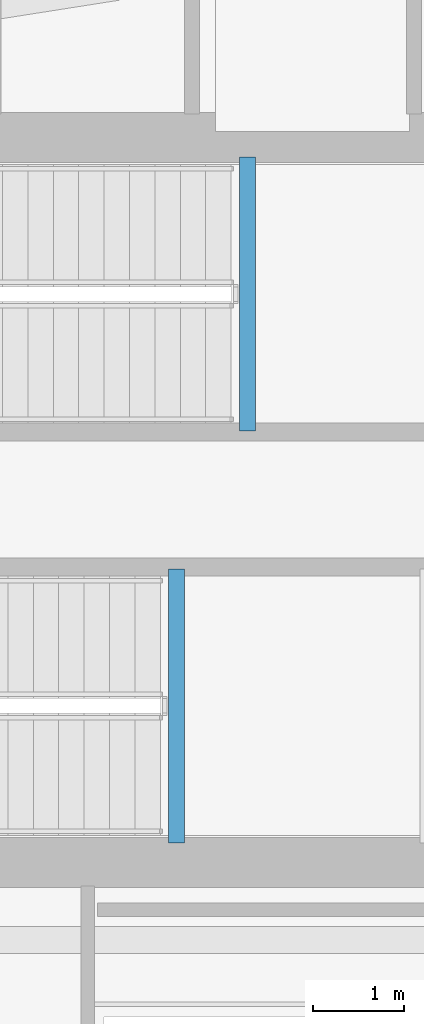
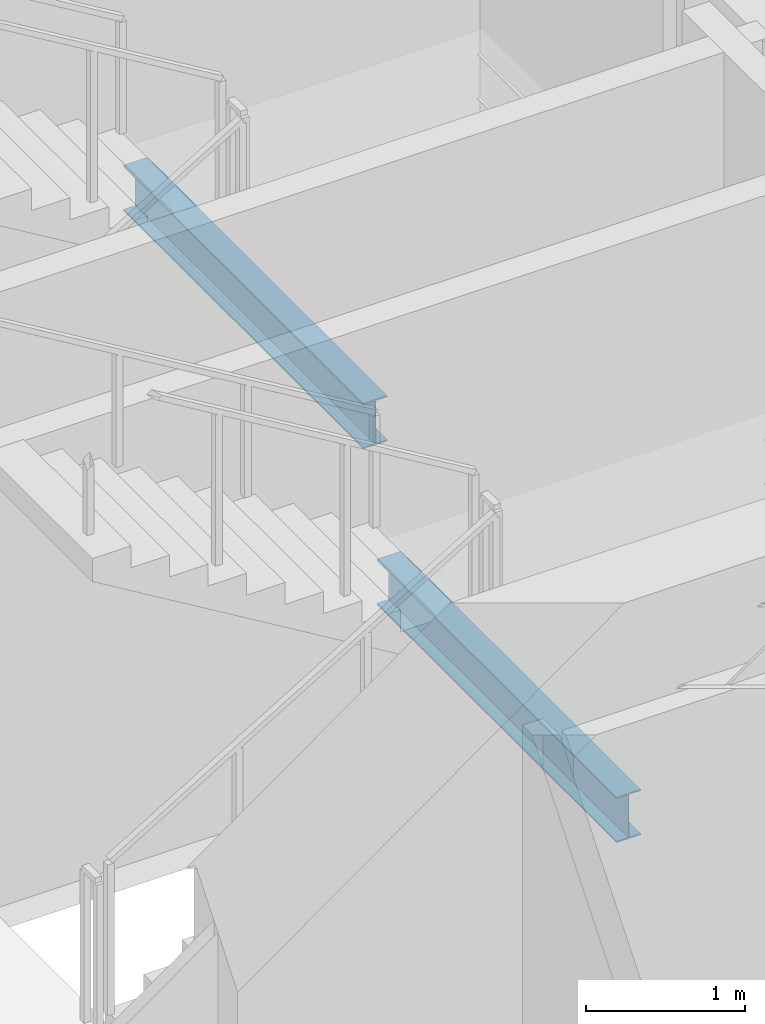
# One storey, part 10 of 22: 2 beams.
"""IFC4 building model written with IfcOpenShell, lengths in metres."""

from ifc_helpers import new_model, si_unit, direction, frame, origin, origin_2d, place, context, subcontext, project, spatial, i_section, extrude, material, material_profile, profile_set, type_object, element, save


model = new_model("IFC4")

# Units and contexts
model_context = context("Model", 3, precision=1e-05, world=origin(), true_north=direction((0.0, 1.0)))
body_context = subcontext(model_context, "Body", "Model", "MODEL_VIEW")
ifc_project = project(units=[si_unit("LENGTHUNIT", "METRE"), si_unit("AREAUNIT", "SQUARE_METRE"), si_unit("VOLUMEUNIT", "CUBIC_METRE"), si_unit("PLANEANGLEUNIT", "RADIAN"), si_unit("MASSUNIT", "GRAM", prefix="KILO")], contexts=[model_context])

# Site, building, storey
site_placement = place(None, origin())
site = spatial("IfcSite", under=ifc_project, at=site_placement, CompositionType="ELEMENT")
building_placement = place(site_placement, origin())
building = spatial("IfcBuilding", under=site, at=building_placement, Name="Qianvela Tower", CompositionType="ELEMENT")
storey_placement = place(building_placement, frame((0.0, 0.0, 169.800048828125)))
storey = spatial("IfcBuildingStorey", under=building, at=storey_placement, Name="L43", CompositionType="ELEMENT", Elevation=169.800048828125)

# Beams
ifc_material = material(Name="Steel Q355B", Category="steel")
ifc_material_profile = material_profile(ifc_material, i_section(OverallWidth=0.175048828125, OverallDepth=0.35009765625, WebThickness=0.007080078125, FlangeThickness=0.010986328125, at=origin_2d()), Name="HN350x175x7x11")
ifc_profile_set = profile_set([ifc_material_profile], Name="Steel Q355B")
beam_type = type_object("IfcBeamType", Name="BM-HN350-JOIST", PredefinedType="JOIST", material=ifc_profile_set)
for number, where, z_axis, x_axis, name in (
    (1, (35.179931640625, 29.4599609375, 1.474853515625), (0.0, 1.0, 0.0), (-1.0, 0.0, 0.0), "L43 Stair ST-1 Landing Support Beam 1.1"),
    (2, (34.39990234375, 24.919921875, 1.474853515625), (0.0, 1.0, 0.0), (-1.0, 0.0, 0.0), "L43 Stair ST-2 Landing Support Beam 1.1"),
):
    element("IfcBeam", number, at=place(storey_placement, frame(where, z_axis=z_axis, x_axis=x_axis)), inside=storey, type_object=beam_type, Name=name, PredefinedType="JOIST", context=body_context, shape_type="SweptSolid", body=[
        extrude(i_section(OverallWidth=0.175048828125, OverallDepth=0.35009765625, WebThickness=0.007080078125, FlangeThickness=0.010986328125, at=origin_2d()), origin(), (0.0, 0.0, 1.0), 3.02001953125),
    ])

save(model, "model.ifc")
